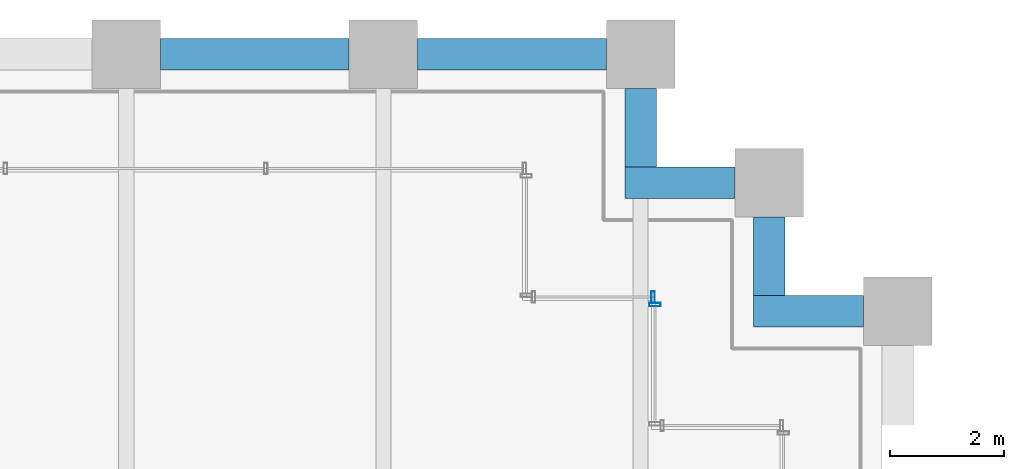
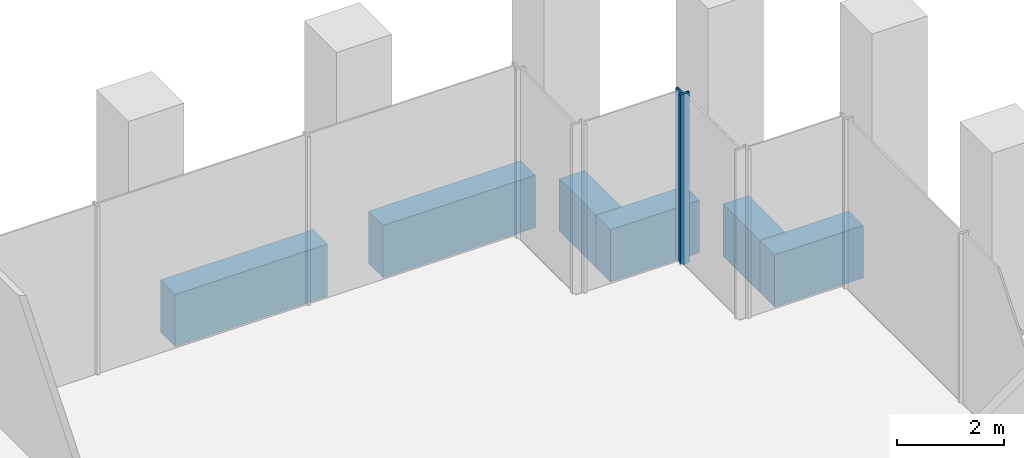
# One storey, part 18 of 36: 6 beams, 2 members, 2 elements without a shape of their own.
"""IFC4 building model written with IfcOpenShell, lengths in metres."""

from ifc_helpers import new_model, si_unit, direction, frame, origin, origin_2d, place, context, subcontext, project, spatial, rectangle, hollow_rectangle, extrude, material, material_profile, profile_set, type_object, element, aggregate, save


model = new_model("IFC4")

# Units and contexts
model_context = context("Model", 3, precision=1e-05, world=origin(), true_north=direction((0.0, 1.0)))
body_context = subcontext(model_context, "Body", "Model", "MODEL_VIEW")
ifc_project = project(units=[si_unit("LENGTHUNIT", "METRE"), si_unit("AREAUNIT", "SQUARE_METRE"), si_unit("VOLUMEUNIT", "CUBIC_METRE"), si_unit("PLANEANGLEUNIT", "RADIAN"), si_unit("MASSUNIT", "GRAM", prefix="KILO")], contexts=[model_context])

# Site, building, storey
site_placement = place(None, origin())
site = spatial("IfcSite", under=ifc_project, at=site_placement, CompositionType="ELEMENT")
building_placement = place(site_placement, origin())
building = spatial("IfcBuilding", under=site, at=building_placement, Name="Altepetl Exchange Towers", CompositionType="ELEMENT")
storey_placement = place(building_placement, frame((0.0, 0.0, 34.199951171875)))
storey = spatial("IfcBuildingStorey", under=building, at=storey_placement, Name="L07", CompositionType="ELEMENT", Elevation=34.199951171875)

# Curtain wall, member
ifc_material_1 = material(Name="Aluminium 6063-T6 glazing", Category="aluminium")
curtain_wall_type = type_object("IfcCurtainWallType", Name="Trading floor glazing system", PredefinedType="NOTDEFINED", material=ifc_material_1)
curtain_wall_1_placement = place(storey_placement, origin())
curtain_wall_1 = element("IfcCurtainWall", 1, at=curtain_wall_1_placement, inside=storey, type_object=curtain_wall_type, Name="CW2 run", PredefinedType="NOTDEFINED")
ifc_material_2 = material(Name="Aluminium 6063-T6", Category="aluminium")
ifc_material_profile_1 = material_profile(ifc_material_2, hollow_rectangle(XDim=0.06005859375, YDim=0.199951171875, WallThickness=0.0029296875, at=origin_2d()), Name="Mullion 60x200 aluminium")
ifc_profile_set_1 = profile_set([ifc_material_profile_1], Name="Aluminium 6063-T6")
member_type = type_object("IfcMemberType", Name="Mullion 60x200 aluminium", PredefinedType="MULLION", material=ifc_profile_set_1)
member_1_placement = place(storey_placement, frame((67.75, 67.6201171875, 0.0), z_axis=(0.0, 0.0, 1.0), x_axis=(0.0, 1.0, 0.0)))
member_1 = element("IfcMember", 2, at=member_1_placement, type_object=member_type, Name="MU2 mullion", PredefinedType="MULLION", context=body_context, shape_type="SweptSolid", body=[
    extrude(hollow_rectangle(XDim=0.06005859375, YDim=0.199951171875, WallThickness=0.0029296875, at=origin_2d()), origin(), (0.0, 0.0, 1.0), 3.900146484375),
])
aggregate(curtain_wall_1, [member_1])

curtain_wall_2_placement = place(storey_placement, origin())
curtain_wall_2 = element("IfcCurtainWall", 3, at=curtain_wall_2_placement, inside=storey, type_object=curtain_wall_type, Name="CW2 run", PredefinedType="NOTDEFINED")
member_2_placement = place(storey_placement, frame((67.719970703125, 67.75, 0.0), z_axis=(0.0, 0.0, 1.0), x_axis=(-1.0, 0.0, 0.0)))
member_2 = element("IfcMember", 4, at=member_2_placement, type_object=member_type, Name="MU2 mullion", PredefinedType="MULLION", context=body_context, shape_type="SweptSolid", body=[
    extrude(hollow_rectangle(XDim=0.06005859375, YDim=0.199951171875, WallThickness=0.0029296875, at=origin_2d()), origin(), (0.0, 0.0, 1.0), 3.900146484375),
])
aggregate(curtain_wall_2, [member_2])

# Beams
ifc_material_3 = material(Name="Concrete C50/60 precast with cantera rosa facing", Category="concrete")
ifc_material_profile_2 = material_profile(ifc_material_3, rectangle(XDim=0.550048828125, YDim=1.199951171875, at=origin_2d()), Name="550 x 1200")
ifc_profile_set_2 = profile_set([ifc_material_profile_2], Name="Concrete C50/60 precast with cantera rosa facing")
beam_type = type_object("IfcBeamType", Name="Spandrel beam 550x1200 cantera rosa", PredefinedType="SPANDREL", material=ifc_profile_set_2)
beam_1_placement = place(storey_placement, frame((71.39990234375, 67.5, -0.77490234375), z_axis=(-1.0, 0.0, 0.0), x_axis=(0.0, -1.0, 0.0)))
element("IfcBeam", 5, at=beam_1_placement, inside=storey, type_object=beam_type, Name="sp:A:L07:020", PredefinedType="SPANDREL", context=body_context, shape_type="SweptSolid", body=[
    extrude(rectangle(XDim=0.550048828125, YDim=1.199951171875, at=origin_2d()), origin(), (0.0, 0.0, 1.0), 1.9248046875),
])
beam_2_placement = place(storey_placement, frame((69.75, 67.77490234375, -0.77490234375), z_axis=(0.0, 1.0, 0.0), x_axis=(-1.0, 0.0, 0.0)))
element("IfcBeam", 6, at=beam_2_placement, inside=storey, type_object=beam_type, Name="sp:A:L07:021", PredefinedType="SPANDREL", context=body_context, shape_type="SweptSolid", body=[
    extrude(rectangle(XDim=0.550048828125, YDim=1.199951171875, at=origin_2d()), origin(), (0.0, 0.0, 1.0), 1.375),
])
beam_3_placement = place(storey_placement, frame((69.14990234375, 69.75, -0.77490234375), z_axis=(-1.0, 0.0, 0.0), x_axis=(0.0, -1.0, 0.0)))
element("IfcBeam", 7, at=beam_3_placement, inside=storey, type_object=beam_type, Name="sp:A:L07:022", PredefinedType="SPANDREL", context=body_context, shape_type="SweptSolid", body=[
    extrude(rectangle(XDim=0.550048828125, YDim=1.199951171875, at=origin_2d()), origin(), (0.0, 0.0, 1.0), 1.9248046875),
])
beam_4_placement = place(storey_placement, frame((67.5, 70.02490234375, -0.77490234375), z_axis=(0.0, 1.0, 0.0), x_axis=(-1.0, 0.0, 0.0)))
element("IfcBeam", 8, at=beam_4_placement, inside=storey, type_object=beam_type, Name="sp:A:L07:023", PredefinedType="SPANDREL", context=body_context, shape_type="SweptSolid", body=[
    extrude(rectangle(XDim=0.550048828125, YDim=1.199951171875, at=origin_2d()), origin(), (0.0, 0.0, 1.0), 1.375),
])
for number, where, z_axis, x_axis, name in (
    (9, (66.89990234375, 72.0, -0.77490234375), (-1.0, 0.0, 0.0), (0.0, -1.0, 0.0), "sp:A:L07:024"),
    (10, (62.39990234375, 72.0, -0.77490234375), (-1.0, 0.0, 0.0), (0.0, -1.0, 0.0), "sp:A:L07:025"),
):
    element("IfcBeam", number, at=place(storey_placement, frame(where, z_axis=z_axis, x_axis=x_axis)), inside=storey, type_object=beam_type, Name=name, PredefinedType="SPANDREL", context=body_context, shape_type="SweptSolid", body=[
        extrude(rectangle(XDim=0.550048828125, YDim=1.199951171875, at=origin_2d()), origin(), (0.0, 0.0, 1.0), 3.2998046875),
    ])

save(model, "model.ifc")
